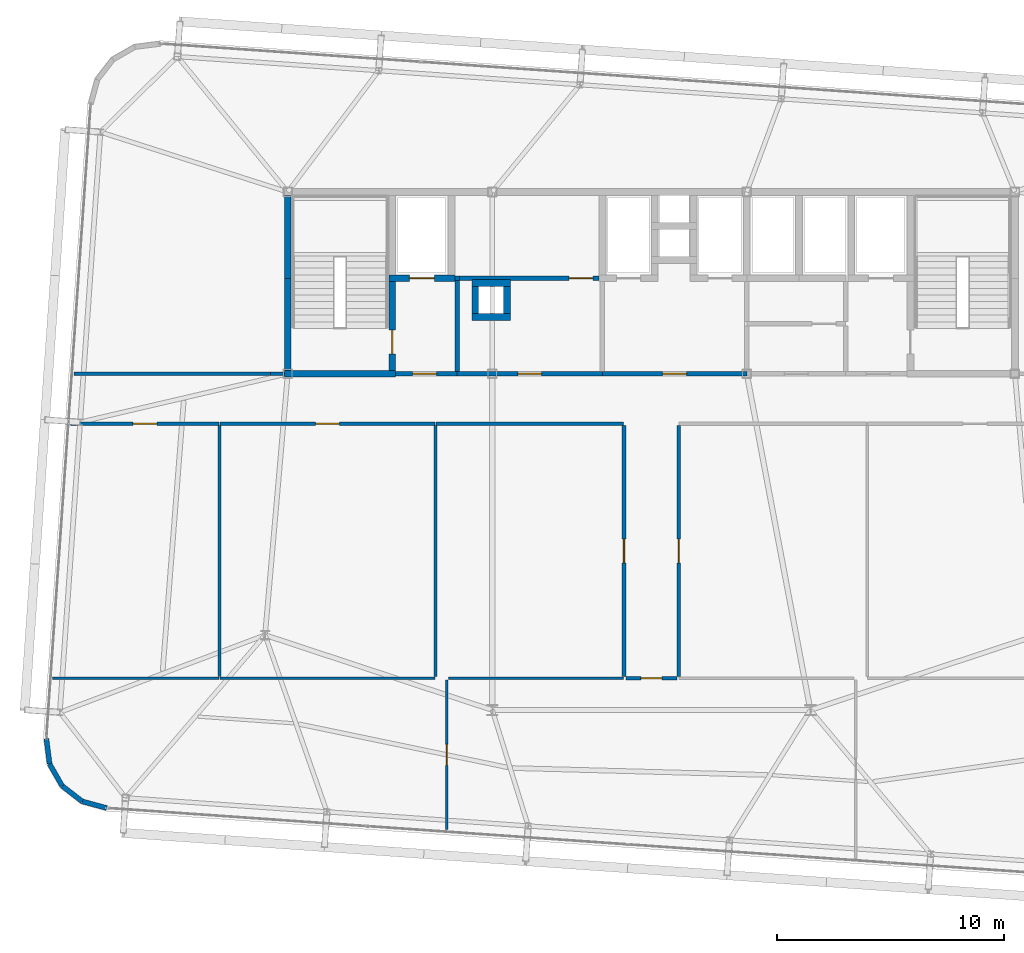
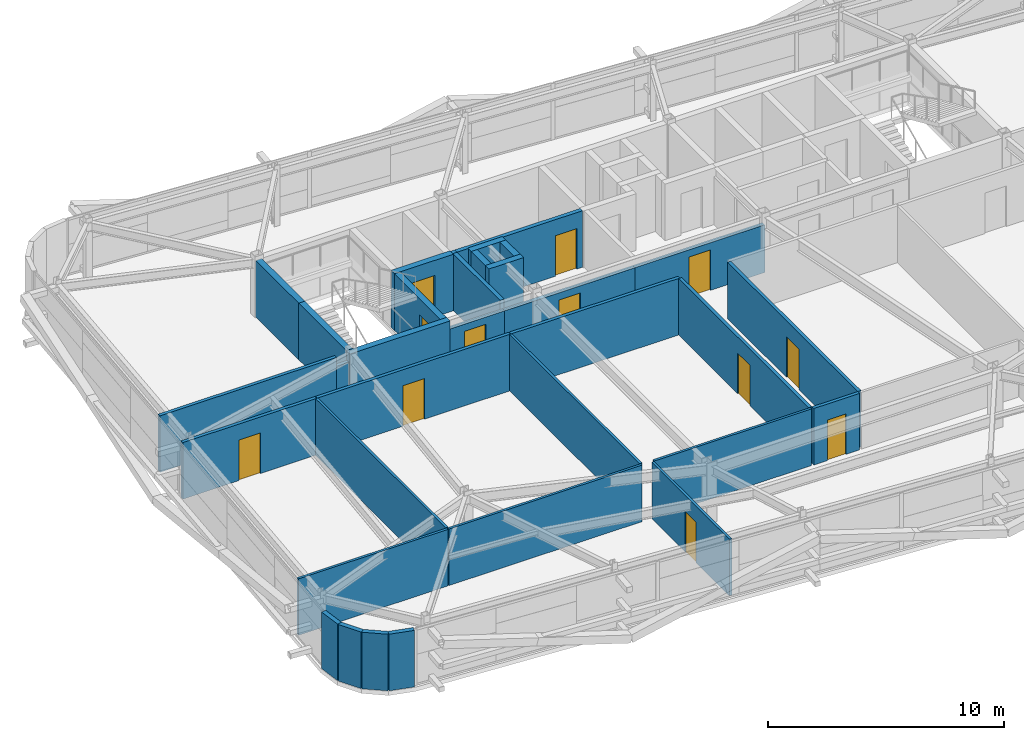
# One storey, part 35 of 39: 33 walls, 12 doors, 12 openings.
"""IFC4 building model written with IfcOpenShell, lengths in metres."""

from ifc_helpers import new_model, si_unit, direction, frame, frame_2d, origin, place, context, subcontext, project, spatial, rectangle, extrude, source, transform, mapped, material, layer, layer_set, type_object, element, fill, save


model = new_model("IFC4")

# Units and contexts
model_context = context("Model", 3, precision=1e-05, world=origin(), true_north=direction((0.0, 1.0)))
body_context = subcontext(model_context, "Body", "Model", "MODEL_VIEW")
ifc_project = project(units=[si_unit("LENGTHUNIT", "METRE"), si_unit("AREAUNIT", "SQUARE_METRE"), si_unit("VOLUMEUNIT", "CUBIC_METRE"), si_unit("PLANEANGLEUNIT", "RADIAN"), si_unit("MASSUNIT", "GRAM", prefix="KILO")], contexts=[model_context])

# Site, building, storey
site_placement = place(None, origin())
site = spatial("IfcSite", under=ifc_project, at=site_placement, CompositionType="ELEMENT")
building_placement = place(site_placement, origin())
building = spatial("IfcBuilding", under=site, at=building_placement, Name="Taldren Reach Tower", CompositionType="ELEMENT")
storey_placement = place(building_placement, frame((0.0, 0.0, 129.85009765625)))
storey = spatial("IfcBuildingStorey", under=building, at=storey_placement, Name="L39", CompositionType="ELEMENT", Elevation=129.85009765625)

# Walls
ifc_material_1 = material(Name="Pale Champagne Anodised Aluminium Cladding", Category="aluminium")
ifc_layer_1 = layer(ifc_material_1, 0.04, Name="Pale Champagne Anodised Aluminium Cladding", Category="aluminium")
ifc_material_2 = material(Name="Mineral Wool Acoustic Insulation", Category="insulation")
ifc_layer_2 = layer(ifc_material_2, 0.06, Name="Mineral Wool Acoustic Insulation", Category="insulation")
ifc_material_3 = material(Name="Steel Gr 350 (C350L0)", Category="steel")
ifc_layer_3 = layer(ifc_material_3, 0.12, Name="Steel Gr 350 (C350L0)", Category="steel")
ifc_layer_set_1 = layer_set([ifc_layer_1, ifc_layer_2, ifc_layer_3], Name="Pale Champagne Aluminium Cladding and Steel Gr 350 Stud Framing")
wall_type_1 = type_object("IfcWallType", Name="EW-CRN-220", PredefinedType="SOLIDWALL", material=ifc_layer_set_1)
shared_shape_1 = source(origin(), body_context, "Body", "SweptSolid", [
    extrude(rectangle(XDim=1.115966796875, YDim=0.219970703125, at=frame_2d((0.55810546875, 0.0))), origin(), (0.0, 0.0, 1.0), 2.929931640625),
])
for number, where, z_axis, x_axis, name in (
    (1, (8.37646484375, 7.93798828125, 0.0), (0.0, 0.0, 1.0), (0.126242535829, -0.991999406324, 0.0), "Rounded-corner pale-metal facade wall L39-SW1"),
    (2, (8.517333984375, 6.8310546875, 0.0), (0.0, 0.0, 1.0), (0.496138938357, -0.868243142124, 0.0), "Rounded-corner pale-metal facade wall L39-SW2"),
    (3, (9.071044921875, 5.862060546875, 0.0), (0.0, 0.0, 1.0), (0.790716874741, -0.612182018684, 0.0), "Rounded-corner pale-metal facade wall L39-SW3"),
    (4, (9.953369140625, 5.178955078125, 0.0), (0.0, 0.0, 1.0), (0.964804199372, -0.262969307856, 0.0), "Rounded-corner pale-metal facade wall L39-SW4"),
):
    element("IfcWall", number, at=place(storey_placement, frame(where, z_axis=z_axis, x_axis=x_axis)), inside=storey, type_object=wall_type_1, Name=name, PredefinedType="SOLIDWALL", context=body_context, shape_type="MappedRepresentation", body=[
        mapped(shared_shape_1, transform((0.0, 0.0, 0.0), scale=1.0)),
    ])
ifc_material_4 = material(Name="Concrete S65 (65 MPa)", Category="concrete")
ifc_layer_4 = layer(ifc_material_4, 0.300048828125)
ifc_layer_set_2 = layer_set([ifc_layer_4], Name="Concrete S65 (65 MPa)")
wall_type_2 = type_object("IfcWallType", Name="IW-CORE-300", PredefinedType="SHEAR", material=ifc_layer_set_2)
shared_shape_2 = source(origin(), body_context, "Body", "SweptSolid", [
    extrude(rectangle(XDim=4.050048828125, YDim=0.300048828125, at=frame_2d((2.02490234375, 0.0))), origin(), (0.0, 0.0, 1.0), 2.929931640625),
])
wall_1_placement = place(storey_placement, frame((19.0, 24.14990234375, 0.0), z_axis=(0.0, 0.0, 1.0), x_axis=(0.0, 1.0, 0.0)))
element("IfcWall", 5, at=wall_1_placement, inside=storey, type_object=wall_type_2, Name="Rear Core Shear Wall W-CORE-L39-WEST1", PredefinedType="SHEAR", context=body_context, shape_type="MappedRepresentation", body=[
    mapped(shared_shape_2, transform((0.0, 0.0, 0.0), scale=1.0)),
])
shared_shape_3 = source(origin(), body_context, "Body", "SweptSolid", [
    extrude(rectangle(XDim=3.650146484375, YDim=0.300048828125, at=frame_2d((1.8251953125, 0.0))), origin(), (0.0, 0.0, 1.0), 2.929931640625),
])
wall_2_placement = place(storey_placement, frame((19.0, 28.199951171875, 0.0), z_axis=(0.0, 0.0, 1.0), x_axis=(0.0, 1.0, 0.0)))
element("IfcWall", 6, at=wall_2_placement, inside=storey, type_object=wall_type_2, Name="Rear Core Shear Wall W-CORE-L39-WEST2", PredefinedType="SHEAR", context=body_context, shape_type="MappedRepresentation", body=[
    mapped(shared_shape_3, transform((0.0, 0.0, 0.0), scale=1.0)),
])

# Wall, opening, door
shared_shape_4 = source(origin(), body_context, "Body", "SweptSolid", [
    extrude(rectangle(XDim=3.900146484375, YDim=0.300048828125, at=frame_2d((1.9501953125, 0.0))), origin(), (0.0, 0.0, 1.0), 2.929931640625),
])
wall_3_placement = place(storey_placement, frame((23.60009765625, 24.14990234375, 0.0), z_axis=(0.0, 0.0, 1.0), x_axis=(0.0, 1.0, 0.0)))
wall_3 = element("IfcWall", 7, at=wall_3_placement, inside=storey, type_object=wall_type_2, Name="Rear Core Shear Wall W-INT-L39-002", PredefinedType="SHEAR", context=body_context, shape_type="MappedRepresentation", body=[
    mapped(shared_shape_4, transform((0.0, 0.0, 0.0), scale=1.0)),
])
shared_shape_5 = source(origin(), body_context, "Body", "SweptSolid", [
    extrude(rectangle(XDim=1.050048828125, YDim=2.10009765625, at=frame_2d((0.52490234375, 1.050048828125))), frame((0.0, 0.16015625, 0.0), z_axis=(0.0, -1.0, 0.0), x_axis=(1.0, 0.0, 0.0)), (0.0, 0.0, 1.0), 0.320068359375),
])
opening_1_placement = place(wall_3_placement, frame((0.72509765625, 0.0, 0.0)))
opening_1 = element("IfcOpeningElement", 8, at=opening_1_placement, cuts=wall_3, Name="Opening DF-105", PredefinedType="OPENING", context=body_context, shape_type="MappedRepresentation", body=[
    mapped(shared_shape_5, transform((0.0, 0.0, 0.0), scale=1.0)),
])
ifc_material_5 = material(Name="Fire-Rated Care and Stair Exit Door")
door_type_1 = type_object("IfcDoorType", Name="ID-FIRE-105", OperationType="NOTDEFINED", PredefinedType="DOOR", material=ifc_material_5)
shared_shape_6 = source(origin(), body_context, "Body", "SweptSolid", [
    extrude(rectangle(XDim=1.050048828125, YDim=2.10009765625, at=frame_2d((0.52490234375, 1.050048828125))), frame((0.0, 0.02490234375, 0.0), z_axis=(0.0, -1.0, 0.0), x_axis=(1.0, 0.0, 0.0)), (0.0, 0.0, 1.0), 0.050048828125),
])
door_1_placement = place(opening_1_placement, origin())
door_1 = element("IfcDoor", 9, at=door_1_placement, inside=storey, type_object=door_type_1, Name="Fire Exit Stair Door DR-L39-001", OperationType="SINGLE_SWING_LEFT", OverallHeight=2.10009765625, OverallWidth=1.050048828125, PredefinedType="DOOR", context=body_context, shape_type="MappedRepresentation", body=[
    mapped(shared_shape_6, transform((0.0, 0.0, 0.0), scale=1.0)),
])
fill(opening_1, door_1)

# Wall
shared_shape_7 = source(origin(), body_context, "Body", "SweptSolid", [
    extrude(rectangle(XDim=4.89990234375, YDim=0.300048828125, at=frame_2d((2.449951171875, 0.0))), origin(), (0.0, 0.0, 1.0), 2.929931640625),
])
wall_4_placement = place(storey_placement, frame((18.85009765625, 24.0, 0.0), z_axis=(0.0, 0.0, 1.0), x_axis=(1.0, 0.0, 0.0)))
element("IfcWall", 10, at=wall_4_placement, inside=storey, type_object=wall_type_2, Name="Rear Core Shear Wall W-INT-L39-003", PredefinedType="SHEAR", context=body_context, shape_type="MappedRepresentation", body=[
    mapped(shared_shape_7, transform((0.0, 0.0, 0.0), scale=1.0)),
])

# Wall, opening, door
shared_shape_8 = source(origin(), body_context, "Body", "SweptSolid", [
    extrude(rectangle(XDim=2.900146484375, YDim=0.300048828125, at=frame_2d((1.4501953125, 0.0))), origin(), (0.0, 0.0, 1.0), 2.929931640625),
])
wall_5_placement = place(storey_placement, frame((23.449951171875, 28.199951171875, 0.0), z_axis=(0.0, 0.0, 1.0), x_axis=(1.0, 0.0, 0.0)))
wall_5 = element("IfcWall", 11, at=wall_5_placement, inside=storey, type_object=wall_type_2, Name="Rear Core Shear Wall W-INT-L39-004", PredefinedType="SHEAR", context=body_context, shape_type="MappedRepresentation", body=[
    mapped(shared_shape_8, transform((0.0, 0.0, 0.0), scale=1.0)),
])
shared_shape_9 = source(origin(), body_context, "Body", "SweptSolid", [
    extrude(rectangle(XDim=1.10009765625, YDim=2.14990234375, at=frame_2d((0.550048828125, 1.074951171875))), frame((0.0, 0.16015625, 0.0), z_axis=(0.0, -1.0, 0.0), x_axis=(1.0, 0.0, 0.0)), (0.0, 0.0, 1.0), 0.320068359375),
])
opening_2_placement = place(wall_5_placement, frame((0.89990234375, 0.0, 0.0)))
opening_2 = element("IfcOpeningElement", 12, at=opening_2_placement, cuts=wall_5, Name="Opening LD-FL1", PredefinedType="OPENING", context=body_context, shape_type="MappedRepresentation", body=[
    mapped(shared_shape_9, transform((0.0, 0.0, 0.0), scale=1.0)),
])
ifc_material_6 = material(Name="Stainless Steel Gr 316 Emergency Lift Landing Door", Category="steel")
door_type_2 = type_object("IfcDoorType", Name="LD-EMG-110", OperationType="SLIDING_TO_LEFT", PredefinedType="DOOR", material=ifc_material_6)
shared_shape_10 = source(origin(), body_context, "Body", "SweptSolid", [
    extrude(rectangle(XDim=1.10009765625, YDim=2.14990234375, at=frame_2d((0.550048828125, 1.074951171875))), frame((0.0, 0.02490234375, 0.0), z_axis=(0.0, -1.0, 0.0), x_axis=(1.0, 0.0, 0.0)), (0.0, 0.0, 1.0), 0.050048828125),
])
door_2_placement = place(opening_2_placement, origin())
door_2 = element("IfcDoor", 13, at=door_2_placement, inside=storey, type_object=door_type_2, Name="Lift Landing Door LD-FL1-L39", OperationType="SLIDING_TO_LEFT", OverallHeight=2.14990234375, OverallWidth=1.10009765625, PredefinedType="DOOR", context=body_context, shape_type="MappedRepresentation", body=[
    mapped(shared_shape_10, transform((0.0, 0.0, 0.0), scale=1.0)),
])
fill(opening_2, door_2)

ifc_material_7 = material(Name="Concrete S50 (50 MPa)", Category="concrete")
ifc_layer_5 = layer(ifc_material_7, 0.199951171875)
ifc_layer_set_3 = layer_set([ifc_layer_5], Name="Concrete S50 (50 MPa)")
wall_type_3 = type_object("IfcWallType", Name="IW-CORE-200", PredefinedType="SOLIDWALL", material=ifc_layer_set_3)
shared_shape_11 = source(origin(), body_context, "Body", "SweptSolid", [
    extrude(rectangle(XDim=2.699951171875, YDim=0.199951171875, at=frame_2d((1.35009765625, 0.0))), origin(), (0.0, 0.0, 1.0), 2.469970703125),
])
wall_6_placement = place(storey_placement, frame((23.75, 24.0, 0.0), z_axis=(0.0, 0.0, 1.0), x_axis=(1.0, 0.0, 0.0)))
wall_6 = element("IfcWall", 14, at=wall_6_placement, inside=storey, type_object=wall_type_3, Name="Rear Core Shear Wall W-INT-L39-007", PredefinedType="SOLIDWALL", context=body_context, shape_type="MappedRepresentation", body=[
    mapped(shared_shape_11, transform((0.0, 0.0, 0.0), scale=1.0)),
])
shared_shape_12 = source(origin(), body_context, "Body", "SweptSolid", [
    extrude(rectangle(XDim=1.050048828125, YDim=2.10009765625, at=frame_2d((0.52490234375, 1.050048828125))), frame((0.0, 0.10986328125, 0.0), z_axis=(0.0, -1.0, 0.0), x_axis=(1.0, 0.0, 0.0)), (0.0, 0.0, 1.0), 0.219970703125),
])
opening_3_placement = place(wall_6_placement, frame((0.75, 0.0, 0.0)))
opening_3 = element("IfcOpeningElement", 15, at=opening_3_placement, cuts=wall_6, Name="Opening DF-105", PredefinedType="OPENING", context=body_context, shape_type="MappedRepresentation", body=[
    mapped(shared_shape_12, transform((0.0, 0.0, 0.0), scale=1.0)),
])
door_3_placement = place(opening_3_placement, origin())
door_3 = element("IfcDoor", 16, at=door_3_placement, inside=storey, type_object=door_type_1, Name="Interior Door DR-L39-002", OperationType="SINGLE_SWING_LEFT", OverallHeight=2.10009765625, OverallWidth=1.050048828125, PredefinedType="DOOR", context=body_context, shape_type="MappedRepresentation", body=[
    mapped(shared_shape_6, transform((0.0, 0.0, 0.0), scale=1.0)),
])
fill(opening_3, door_3)

# Walls
shared_shape_13 = source(origin(), body_context, "Body", "SweptSolid", [
    extrude(rectangle(XDim=1.2001953125, YDim=0.300048828125, at=frame_2d((0.60009765625, 0.0))), origin(), (0.0, 0.0, 1.0), 2.929931640625),
])
for number, where, z_axis, x_axis, name in (
    (17, (28.64990234375, 26.64990234375, 0.0), (0.0, 0.0, 1.0), (0.0, 1.0, 0.0), "Rear Core Shear Wall W-INT-L39-022"),
    (18, (27.25, 27.85009765625, 0.0), (0.0, 0.0, 1.0), (0.0, -1.0, 0.0), "Rear Core Shear Wall W-INT-L39-023"),
):
    element("IfcWall", number, at=place(storey_placement, frame(where, z_axis=z_axis, x_axis=x_axis)), inside=storey, type_object=wall_type_2, Name=name, PredefinedType="SHEAR", context=body_context, shape_type="MappedRepresentation", body=[
        mapped(shared_shape_13, transform((0.0, 0.0, 0.0), scale=1.0)),
    ])
shared_shape_14 = source(origin(), body_context, "Body", "SweptSolid", [
    extrude(rectangle(XDim=4.0, YDim=0.199951171875, at=frame_2d((2.0, 0.0))), origin(), (0.0, 0.0, 1.0), 2.929931640625),
])
wall_7_placement = place(storey_placement, frame((26.449951171875, 24.10009765625, 0.0), z_axis=(0.0, 0.0, 1.0), x_axis=(0.0, 1.0, 0.0)))
element("IfcWall", 19, at=wall_7_placement, inside=storey, type_object=wall_type_3, Name="Rear Core Shear Wall W-INT-L39-006", PredefinedType="SOLIDWALL", context=body_context, shape_type="MappedRepresentation", body=[
    mapped(shared_shape_14, transform((0.0, 0.0, 0.0), scale=1.0)),
])
shared_shape_15 = source(origin(), body_context, "Body", "SweptSolid", [
    extrude(rectangle(XDim=1.699951171875, YDim=0.300048828125, at=frame_2d((0.85009765625, 0.0))), origin(), (0.0, 0.0, 1.0), 2.929931640625),
])
for number, where, z_axis, x_axis, name in (
    (20, (28.800048828125, 28.0, 0.0), (0.0, 0.0, 1.0), (-1.0, 0.0, 0.0), "Rear Core Shear Wall W-INT-L39-024"),
    (21, (27.10009765625, 26.5, 0.0), (0.0, 0.0, 1.0), (1.0, 0.0, 0.0), "Rear Core Shear Wall W-INT-L39-025"),
):
    element("IfcWall", number, at=place(storey_placement, frame(where, z_axis=z_axis, x_axis=x_axis)), inside=storey, type_object=wall_type_2, Name=name, PredefinedType="SHEAR", context=body_context, shape_type="MappedRepresentation", body=[
        mapped(shared_shape_15, transform((0.0, 0.0, 0.0), scale=1.0)),
    ])

# Wall, opening, door
shared_shape_16 = source(origin(), body_context, "Body", "SweptSolid", [
    extrude(rectangle(XDim=6.349853515625, YDim=0.199951171875, at=frame_2d((3.1748046875, 0.0))), origin(), (0.0, 0.0, 1.0), 2.469970703125),
])
wall_8_placement = place(storey_placement, frame((39.199951171875, 24.0, 0.0), z_axis=(0.0, 0.0, 1.0), x_axis=(-1.0, 0.0, 0.0)))
wall_8 = element("IfcWall", 22, at=wall_8_placement, inside=storey, type_object=wall_type_3, Name="Rear Core Shear Wall W-INT-L39-035", PredefinedType="SOLIDWALL", context=body_context, shape_type="MappedRepresentation", body=[
    mapped(shared_shape_16, transform((0.0, 0.0, 0.0), scale=1.0)),
])
opening_4_placement = place(wall_8_placement, frame((2.64990234375, 0.0, 0.0)))
opening_4 = element("IfcOpeningElement", 23, at=opening_4_placement, cuts=wall_8, Name="Opening DF-105", PredefinedType="OPENING", context=body_context, shape_type="MappedRepresentation", body=[
    mapped(shared_shape_12, transform((0.0, 0.0, 0.0), scale=1.0)),
])
door_4_placement = place(opening_4_placement, frame((1.050048828125, 0.0, 0.0), z_axis=(0.0, 0.0, 1.0), x_axis=(-1.0, 0.0, 0.0)))
door_4 = element("IfcDoor", 24, at=door_4_placement, inside=storey, type_object=door_type_1, Name="Interior Door DR-L39-005", OperationType="SINGLE_SWING_LEFT", OverallHeight=2.10009765625, OverallWidth=1.050048828125, PredefinedType="DOOR", context=body_context, shape_type="MappedRepresentation", body=[
    mapped(shared_shape_6, transform((0.0, 0.0, 0.0), scale=1.0)),
])
fill(opening_4, door_4)

# Walls
ifc_material_8 = material(Name="Fire-Rated Acoustic Plasterboard Stud Wall", Category="gypsum")
ifc_layer_6 = layer(ifc_material_8, 0.159912109375)
ifc_layer_set_4 = layer_set([ifc_layer_6], Name="Fire-Rated Acoustic Plasterboard Stud Wall")
wall_type_4 = type_object("IfcWallType", Name="IW-FIRE-160", PredefinedType="PARTITIONING", material=ifc_layer_set_4)
shared_shape_17 = source(origin(), body_context, "Body", "SweptSolid", [
    extrude(rectangle(XDim=8.65234375, YDim=0.159912109375, at=frame_2d((4.326171875, 0.0))), origin(), (0.0, 0.0, 1.0), 2.929931640625),
])
wall_9_placement = place(storey_placement, frame((9.584228515625, 24.0, 0.0), z_axis=(0.0, 0.0, 1.0), x_axis=(1.0, 0.0, 0.0)))
element("IfcWall", 25, at=wall_9_placement, inside=storey, type_object=wall_type_4, Name="Interior Partition Wall W-INT-L39-050", PredefinedType="PARTITIONING", context=body_context, shape_type="MappedRepresentation", body=[
    mapped(shared_shape_17, transform((0.0, 0.0, 0.0), scale=1.0)),
])
shared_shape_18 = source(origin(), body_context, "Body", "SweptSolid", [
    extrude(rectangle(XDim=0.613525390625, YDim=0.159912109375, at=frame_2d((0.306640625, 0.0))), origin(), (0.0, 0.0, 1.0), 2.469970703125),
])
wall_10_placement = place(storey_placement, frame((18.236572265625, 24.0, 0.0), z_axis=(0.0, 0.0, 1.0), x_axis=(1.0, 0.0, 0.0)))
element("IfcWall", 26, at=wall_10_placement, inside=storey, type_object=wall_type_4, Name="Interior Partition Wall W-INT-L39-050 part 2", PredefinedType="PARTITIONING", context=body_context, shape_type="MappedRepresentation", body=[
    mapped(shared_shape_18, transform((0.0, 0.0, 0.0), scale=1.0)),
])
shared_shape_19 = source(origin(), body_context, "Body", "SweptSolid", [
    extrude(rectangle(XDim=0.199951171875, YDim=0.199951171875, at=frame_2d((0.10009765625, 0.0))), origin(), (0.0, 0.0, 1.0), 2.929931640625),
])
wall_11_placement = place(storey_placement, frame((26.35009765625, 28.199951171875, 0.0), z_axis=(0.0, 0.0, 1.0), x_axis=(1.0, 0.0, 0.0)))
element("IfcWall", 27, at=wall_11_placement, inside=storey, type_object=wall_type_3, Name="Rear Core Partition Wall W-INT-L39-066", PredefinedType="SOLIDWALL", context=body_context, shape_type="MappedRepresentation", body=[
    mapped(shared_shape_19, transform((0.0, 0.0, 0.0), scale=1.0)),
])

# Wall, opening, door
shared_shape_20 = source(origin(), body_context, "Body", "SweptSolid", [
    extrude(rectangle(XDim=6.25, YDim=0.199951171875, at=frame_2d((3.125, 0.0))), origin(), (0.0, 0.0, 1.0), 2.929931640625),
])
wall_12_placement = place(storey_placement, frame((26.449951171875, 28.199951171875, 0.0), z_axis=(0.0, 0.0, 1.0), x_axis=(1.0, 0.0, 0.0)))
wall_12 = element("IfcWall", 28, at=wall_12_placement, inside=storey, type_object=wall_type_3, Name="Rear Core Shear Wall W-INT-L39-039", PredefinedType="SOLIDWALL", context=body_context, shape_type="MappedRepresentation", body=[
    mapped(shared_shape_20, transform((0.0, 0.0, 0.0), scale=1.0)),
])
opening_5_placement = place(wall_12_placement, frame((4.929931640625, 0.0, 0.0)))
opening_5 = element("IfcOpeningElement", 29, at=opening_5_placement, cuts=wall_12, Name="Opening DF-105", PredefinedType="OPENING", context=body_context, shape_type="MappedRepresentation", body=[
    mapped(shared_shape_12, transform((0.0, 0.0, 0.0), scale=1.0)),
])
door_5_placement = place(opening_5_placement, origin())
door_5 = element("IfcDoor", 30, at=door_5_placement, inside=storey, type_object=door_type_1, Name="Interior Door DR-L39-006", OperationType="SINGLE_SWING_RIGHT", OverallHeight=2.10009765625, OverallWidth=1.050048828125, PredefinedType="DOOR", context=body_context, shape_type="MappedRepresentation", body=[
    mapped(shared_shape_6, transform((0.0, 0.0, 0.0), scale=1.0)),
])
fill(opening_5, door_5)

shared_shape_21 = source(origin(), body_context, "Body", "SweptSolid", [
    extrude(rectangle(XDim=6.400146484375, YDim=0.199951171875, at=frame_2d((3.2001953125, 0.0))), origin(), (0.0, 0.0, 1.0), 2.469970703125),
])
wall_13_placement = place(storey_placement, frame((32.85009765625, 24.0, 0.0), z_axis=(0.0, 0.0, 1.0), x_axis=(-1.0, 0.0, 0.0)))
wall_13 = element("IfcWall", 31, at=wall_13_placement, inside=storey, type_object=wall_type_3, Name="Rear Core Shear Wall W-INT-L39-040", PredefinedType="SOLIDWALL", context=body_context, shape_type="MappedRepresentation", body=[
    mapped(shared_shape_21, transform((0.0, 0.0, 0.0), scale=1.0)),
])
opening_6_placement = place(wall_13_placement, frame((2.675048828125, 0.0, 0.0)))
opening_6 = element("IfcOpeningElement", 32, at=opening_6_placement, cuts=wall_13, Name="Opening DF-105", PredefinedType="OPENING", context=body_context, shape_type="MappedRepresentation", body=[
    mapped(shared_shape_12, transform((0.0, 0.0, 0.0), scale=1.0)),
])
door_6_placement = place(opening_6_placement, frame((1.050048828125, 0.0, 0.0), z_axis=(0.0, 0.0, 1.0), x_axis=(-1.0, 0.0, 0.0)))
door_6 = element("IfcDoor", 33, at=door_6_placement, inside=storey, type_object=door_type_1, Name="Interior Door DR-L39-007", OperationType="SINGLE_SWING_LEFT", OverallHeight=2.10009765625, OverallWidth=1.050048828125, PredefinedType="DOOR", context=body_context, shape_type="MappedRepresentation", body=[
    mapped(shared_shape_6, transform((0.0, 0.0, 0.0), scale=1.0)),
])
fill(opening_6, door_6)

shared_shape_22 = source(origin(), body_context, "Body", "SweptSolid", [
    extrude(rectangle(XDim=6.538330078125, YDim=0.159912109375, at=frame_2d((3.26904296875, 0.0))), origin(), (0.0, 0.0, 1.0), 2.929931640625),
])
wall_14_placement = place(storey_placement, frame((15.979736328125, 21.800048828125, 0.0), z_axis=(0.0, 0.0, 1.0), x_axis=(-1.0, 0.0, 0.0)))
wall_14 = element("IfcWall", 34, at=wall_14_placement, inside=storey, type_object=wall_type_4, Name="Interior Partition Wall W-INT-L39-043", PredefinedType="PARTITIONING", context=body_context, shape_type="MappedRepresentation", body=[
    mapped(shared_shape_22, transform((0.0, 0.0, 0.0), scale=1.0)),
])
shared_shape_23 = source(origin(), body_context, "Body", "SweptSolid", [
    extrude(rectangle(XDim=1.050048828125, YDim=2.10009765625, at=frame_2d((0.52490234375, 1.050048828125))), frame((0.0, 0.08984375, 0.0), z_axis=(0.0, -1.0, 0.0), x_axis=(1.0, 0.0, 0.0)), (0.0, 0.0, 1.0), 0.179931640625),
])
opening_7_placement = place(wall_14_placement, frame((2.744140625, 0.0, 0.0)))
opening_7 = element("IfcOpeningElement", 35, at=opening_7_placement, cuts=wall_14, Name="Opening DF-105", PredefinedType="OPENING", context=body_context, shape_type="MappedRepresentation", body=[
    mapped(shared_shape_23, transform((0.0, 0.0, 0.0), scale=1.0)),
])
door_7_placement = place(opening_7_placement, origin())
door_7 = element("IfcDoor", 36, at=door_7_placement, inside=storey, type_object=door_type_1, Name="Interior Door DR-L39-010", OperationType="SINGLE_SWING_LEFT", OverallHeight=2.10009765625, OverallWidth=1.050048828125, PredefinedType="DOOR", context=body_context, shape_type="MappedRepresentation", body=[
    mapped(shared_shape_6, transform((0.0, 0.0, 0.0), scale=1.0)),
])
fill(opening_7, door_7)

shared_shape_24 = source(origin(), body_context, "Body", "SweptSolid", [
    extrude(rectangle(XDim=9.45947265625, YDim=0.159912109375, at=frame_2d((4.729736328125, 0.0))), origin(), (0.0, 0.0, 1.0), 2.929931640625),
])
wall_15_placement = place(storey_placement, frame((25.479736328125, 21.800048828125, 0.0), z_axis=(0.0, 0.0, 1.0), x_axis=(-1.0, 0.0, 0.0)))
wall_15 = element("IfcWall", 37, at=wall_15_placement, inside=storey, type_object=wall_type_4, Name="Interior Partition Wall W-INT-L39-044", PredefinedType="PARTITIONING", context=body_context, shape_type="MappedRepresentation", body=[
    mapped(shared_shape_24, transform((0.0, 0.0, 0.0), scale=1.0)),
])
opening_8_placement = place(wall_15_placement, frame((4.20458984375, 0.0, 0.0)))
opening_8 = element("IfcOpeningElement", 38, at=opening_8_placement, cuts=wall_15, Name="Opening DF-105", PredefinedType="OPENING", context=body_context, shape_type="MappedRepresentation", body=[
    mapped(shared_shape_23, transform((0.0, 0.0, 0.0), scale=1.0)),
])
door_8_placement = place(opening_8_placement, origin())
door_8 = element("IfcDoor", 39, at=door_8_placement, inside=storey, type_object=door_type_1, Name="Interior Door DR-L39-011", OperationType="SINGLE_SWING_RIGHT", OverallHeight=2.10009765625, OverallWidth=1.050048828125, PredefinedType="DOOR", context=body_context, shape_type="MappedRepresentation", body=[
    mapped(shared_shape_6, transform((0.0, 0.0, 0.0), scale=1.0)),
])
fill(opening_8, door_8)

# Wall
shared_shape_25 = source(origin(), body_context, "Body", "SweptSolid", [
    extrude(rectangle(XDim=8.259521484375, YDim=0.159912109375, at=frame_2d((4.1298828125, 0.0))), origin(), (0.0, 0.0, 1.0), 2.929931640625),
])
wall_16_placement = place(storey_placement, frame((33.77978515625, 21.800048828125, 0.0), z_axis=(0.0, 0.0, 1.0), x_axis=(-1.0, 0.0, 0.0)))
element("IfcWall", 40, at=wall_16_placement, inside=storey, type_object=wall_type_4, Name="Interior Partition Wall W-INT-L39-045", PredefinedType="PARTITIONING", context=body_context, shape_type="MappedRepresentation", body=[
    mapped(shared_shape_25, transform((0.0, 0.0, 0.0), scale=1.0)),
])

# Wall, opening, door
shared_shape_26 = source(origin(), body_context, "Body", "SweptSolid", [
    extrude(rectangle(XDim=2.240234375, YDim=0.159912109375, at=frame_2d((1.1201171875, 0.0))), origin(), (0.0, 0.0, 1.0), 2.929931640625),
])
wall_17_placement = place(storey_placement, frame((36.1201171875, 10.60009765625, 0.0), z_axis=(0.0, 0.0, 1.0), x_axis=(-1.0, 0.0, 0.0)))
wall_17 = element("IfcWall", 41, at=wall_17_placement, inside=storey, type_object=wall_type_4, Name="Interior Partition Wall W-INT-L39-051", PredefinedType="PARTITIONING", context=body_context, shape_type="MappedRepresentation", body=[
    mapped(shared_shape_26, transform((0.0, 0.0, 0.0), scale=1.0)),
])
shared_shape_27 = source(origin(), body_context, "Body", "SweptSolid", [
    extrude(rectangle(XDim=0.919921875, YDim=2.10009765625, at=frame_2d((0.4599609375, 1.050048828125))), frame((0.0, 0.08984375, 0.0), z_axis=(0.0, -1.0, 0.0), x_axis=(1.0, 0.0, 0.0)), (0.0, 0.0, 1.0), 0.179931640625),
])
opening_9_placement = place(wall_17_placement, frame((0.659912109375, 0.0, 0.0)))
opening_9 = element("IfcOpeningElement", 42, at=opening_9_placement, cuts=wall_17, Name="Opening DI-092", PredefinedType="OPENING", context=body_context, shape_type="MappedRepresentation", body=[
    mapped(shared_shape_27, transform((0.0, 0.0, 0.0), scale=1.0)),
])
ifc_material_9 = material(Name="Solid-Core Timber Suite Door", Category="wood")
door_type_3 = type_object("IfcDoorType", Name="ID-INT-092", OperationType="NOTDEFINED", PredefinedType="DOOR", material=ifc_material_9)
shared_shape_28 = source(origin(), body_context, "Body", "SweptSolid", [
    extrude(rectangle(XDim=0.919921875, YDim=2.10009765625, at=frame_2d((0.4599609375, 1.050048828125))), frame((0.0, 0.02490234375, 0.0), z_axis=(0.0, -1.0, 0.0), x_axis=(1.0, 0.0, 0.0)), (0.0, 0.0, 1.0), 0.050048828125),
])
door_9_placement = place(opening_9_placement, origin())
door_9 = element("IfcDoor", 43, at=door_9_placement, inside=storey, type_object=door_type_3, Name="Interior Door DR-L39-015", OperationType="SINGLE_SWING_RIGHT", OverallHeight=2.10009765625, OverallWidth=0.919921875, PredefinedType="DOOR", context=body_context, shape_type="MappedRepresentation", body=[
    mapped(shared_shape_28, transform((0.0, 0.0, 0.0), scale=1.0)),
])
fill(opening_9, door_9)

shared_shape_29 = source(origin(), body_context, "Body", "SweptSolid", [
    extrude(rectangle(XDim=11.0400390625, YDim=0.159912109375, at=frame_2d((5.52001953125, 0.0))), origin(), (0.0, 0.0, 1.0), 2.929931640625),
])
wall_18_placement = place(storey_placement, frame((33.800048828125, 10.679931640625, 0.0), z_axis=(0.0, 0.0, 1.0), x_axis=(0.0, 1.0, 0.0)))
wall_18 = element("IfcWall", 44, at=wall_18_placement, inside=storey, type_object=wall_type_4, Name="Interior Partition Wall W-INT-L39-052", PredefinedType="PARTITIONING", context=body_context, shape_type="MappedRepresentation", body=[
    mapped(shared_shape_29, transform((0.0, 0.0, 0.0), scale=1.0)),
])
opening_10_placement = place(wall_18_placement, frame((4.9951171875, 0.0, 0.0)))
opening_10 = element("IfcOpeningElement", 45, at=opening_10_placement, cuts=wall_18, Name="Opening DF-105", PredefinedType="OPENING", context=body_context, shape_type="MappedRepresentation", body=[
    mapped(shared_shape_23, transform((0.0, 0.0, 0.0), scale=1.0)),
])
door_10_placement = place(opening_10_placement, origin())
door_10 = element("IfcDoor", 46, at=door_10_placement, inside=storey, type_object=door_type_1, Name="Interior Door DR-L39-016", OperationType="SINGLE_SWING_LEFT", OverallHeight=2.10009765625, OverallWidth=1.050048828125, PredefinedType="DOOR", context=body_context, shape_type="MappedRepresentation", body=[
    mapped(shared_shape_6, transform((0.0, 0.0, 0.0), scale=1.0)),
])
fill(opening_10, door_10)

wall_19_placement = place(storey_placement, frame((36.199951171875, 21.719970703125, 0.0), z_axis=(0.0, 0.0, 1.0), x_axis=(0.0, -1.0, 0.0)))
wall_19 = element("IfcWall", 47, at=wall_19_placement, inside=storey, type_object=wall_type_4, Name="Interior Partition Wall W-INT-L39-053", PredefinedType="PARTITIONING", context=body_context, shape_type="MappedRepresentation", body=[
    mapped(shared_shape_29, transform((0.0, 0.0, 0.0), scale=1.0)),
])
opening_11_placement = place(wall_19_placement, frame((4.9951171875, 0.0, 0.0)))
opening_11 = element("IfcOpeningElement", 48, at=opening_11_placement, cuts=wall_19, Name="Opening DF-105", PredefinedType="OPENING", context=body_context, shape_type="MappedRepresentation", body=[
    mapped(shared_shape_23, transform((0.0, 0.0, 0.0), scale=1.0)),
])
door_11_placement = place(opening_11_placement, origin())
door_11 = element("IfcDoor", 49, at=door_11_placement, inside=storey, type_object=door_type_1, Name="Interior Door DR-L39-017", OperationType="SINGLE_SWING_RIGHT", OverallHeight=2.10009765625, OverallWidth=1.050048828125, PredefinedType="DOOR", context=body_context, shape_type="MappedRepresentation", body=[
    mapped(shared_shape_6, transform((0.0, 0.0, 0.0), scale=1.0)),
])
fill(opening_11, door_11)

ifc_material_10 = material(Name="Insulated Residential Stud Partition", Category="gypsum")
ifc_layer_7 = layer(ifc_material_10, 0.1201171875)
ifc_layer_set_5 = layer_set([ifc_layer_7], Name="Insulated Residential Stud Partition")
wall_type_5 = type_object("IfcWallType", Name="IW-PART-120", PredefinedType="PARTITIONING", material=ifc_layer_set_5)
shared_shape_30 = source(origin(), body_context, "Body", "SweptSolid", [
    extrude(rectangle(XDim=6.58544921875, YDim=0.1201171875, at=frame_2d((3.292724609375, 0.0))), origin(), (0.0, 0.0, 1.0), 2.929931640625),
])
wall_20_placement = place(storey_placement, frame((26.0, 10.52001953125, 0.0), z_axis=(0.0, 0.0, 1.0), x_axis=(0.0, -1.0, 0.0)))
wall_20 = element("IfcWall", 50, at=wall_20_placement, inside=storey, type_object=wall_type_5, Name="Interior Partition Wall W-INT-L39-054", PredefinedType="PARTITIONING", context=body_context, shape_type="MappedRepresentation", body=[
    mapped(shared_shape_30, transform((0.0, 0.0, 0.0), scale=1.0)),
])
shared_shape_31 = source(origin(), body_context, "Body", "SweptSolid", [
    extrude(rectangle(XDim=0.919921875, YDim=2.10009765625, at=frame_2d((0.4599609375, 1.050048828125))), frame((0.0, 0.070068359375, 0.0), z_axis=(0.0, -1.0, 0.0), x_axis=(1.0, 0.0, 0.0)), (0.0, 0.0, 1.0), 0.14013671875),
])
opening_12_placement = place(wall_20_placement, frame((2.832763671875, 0.0, 0.0)))
opening_12 = element("IfcOpeningElement", 51, at=opening_12_placement, cuts=wall_20, Name="Opening DI-092", PredefinedType="OPENING", context=body_context, shape_type="MappedRepresentation", body=[
    mapped(shared_shape_31, transform((0.0, 0.0, 0.0), scale=1.0)),
])
door_12_placement = place(opening_12_placement, frame((0.919921875, 0.0, 0.0), z_axis=(0.0, 0.0, 1.0), x_axis=(-1.0, 0.0, 0.0)))
door_12 = element("IfcDoor", 52, at=door_12_placement, inside=storey, type_object=door_type_3, Name="Interior Door DR-L39-018", OperationType="SINGLE_SWING_RIGHT", OverallHeight=2.10009765625, OverallWidth=0.919921875, PredefinedType="DOOR", context=body_context, shape_type="MappedRepresentation", body=[
    mapped(shared_shape_28, transform((0.0, 0.0, 0.0), scale=1.0)),
])
fill(opening_12, door_12)

# Walls
shared_shape_32 = source(origin(), body_context, "Body", "SweptSolid", [
    extrude(rectangle(XDim=7.33251953125, YDim=0.1201171875, at=frame_2d((3.666259765625, 0.0))), origin(), (0.0, 0.0, 1.0), 2.929931640625),
])
wall_21_placement = place(storey_placement, frame((8.647216796875, 10.60009765625, 0.0), z_axis=(0.0, 0.0, 1.0), x_axis=(1.0, 0.0, 0.0)))
element("IfcWall", 53, at=wall_21_placement, inside=storey, type_object=wall_type_5, Name="Interior Partition Wall W-INT-L39-055", PredefinedType="PARTITIONING", context=body_context, shape_type="MappedRepresentation", body=[
    mapped(shared_shape_32, transform((0.0, 0.0, 0.0), scale=1.0)),
])
shared_shape_33 = source(origin(), body_context, "Body", "SweptSolid", [
    extrude(rectangle(XDim=9.45947265625, YDim=0.1201171875, at=frame_2d((4.729736328125, 0.0))), origin(), (0.0, 0.0, 1.0), 2.929931640625),
])
wall_22_placement = place(storey_placement, frame((16.020263671875, 10.60009765625, 0.0), z_axis=(0.0, 0.0, 1.0), x_axis=(1.0, 0.0, 0.0)))
element("IfcWall", 54, at=wall_22_placement, inside=storey, type_object=wall_type_5, Name="Interior Partition Wall W-INT-L39-056", PredefinedType="PARTITIONING", context=body_context, shape_type="MappedRepresentation", body=[
    mapped(shared_shape_33, transform((0.0, 0.0, 0.0), scale=1.0)),
])
shared_shape_34 = source(origin(), body_context, "Body", "SweptSolid", [
    extrude(rectangle(XDim=7.69970703125, YDim=0.1201171875, at=frame_2d((3.849853515625, 0.0))), origin(), (0.0, 0.0, 1.0), 2.929931640625),
])
wall_23_placement = place(storey_placement, frame((26.080078125, 10.60009765625, 0.0), z_axis=(0.0, 0.0, 1.0), x_axis=(1.0, 0.0, 0.0)))
element("IfcWall", 55, at=wall_23_placement, inside=storey, type_object=wall_type_5, Name="Interior Partition Wall W-INT-L39-058", PredefinedType="PARTITIONING", context=body_context, shape_type="MappedRepresentation", body=[
    mapped(shared_shape_34, transform((0.0, 0.0, 0.0), scale=1.0)),
])
shared_shape_35 = source(origin(), body_context, "Body", "SweptSolid", [
    extrude(rectangle(XDim=11.0361328125, YDim=0.1201171875, at=frame_2d((5.51806640625, 0.0))), origin(), (0.0, 0.0, 1.0), 2.929931640625),
])
for number, where, z_axis, x_axis, name in (
    (56, (16.0, 21.718017578125, 0.0), (0.0, 0.0, 1.0), (0.0, -1.0, 0.0), "Interior Partition Wall W-INT-L39-062"),
    (57, (25.5, 21.718017578125, 0.0), (0.0, 0.0, 1.0), (0.0, -1.0, 0.0), "Interior Partition Wall W-INT-L39-063"),
):
    element("IfcWall", number, at=place(storey_placement, frame(where, z_axis=z_axis, x_axis=x_axis)), inside=storey, type_object=wall_type_5, Name=name, PredefinedType="PARTITIONING", context=body_context, shape_type="MappedRepresentation", body=[
        mapped(shared_shape_35, transform((0.0, 0.0, 0.0), scale=1.0)),
    ])

save(model, "model.ifc")
